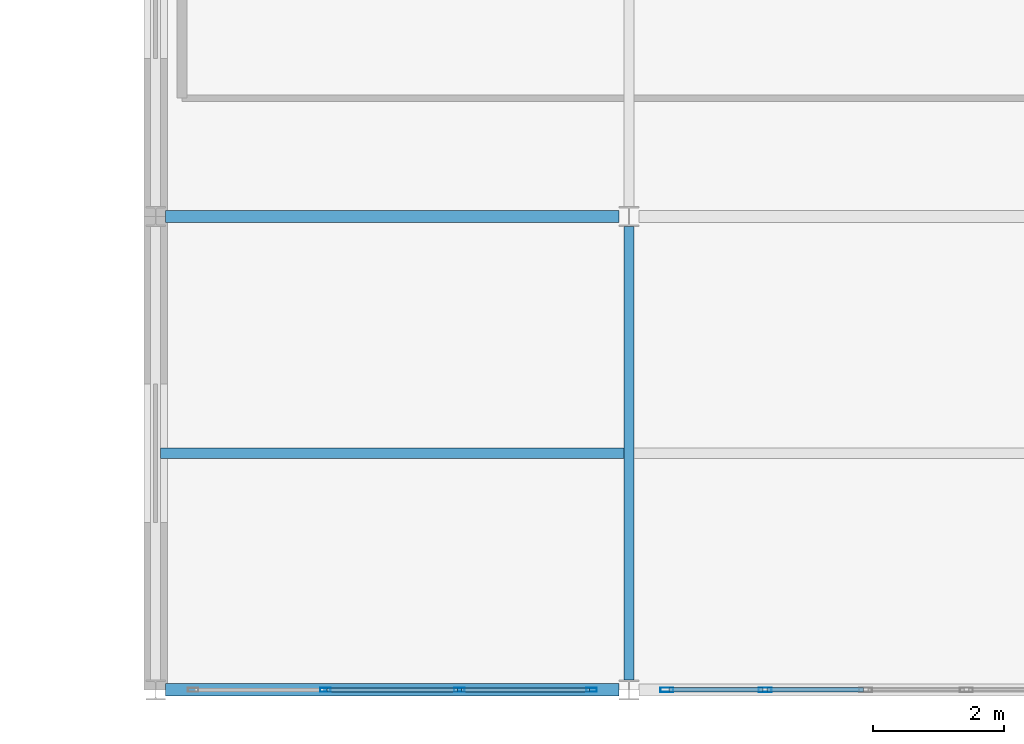
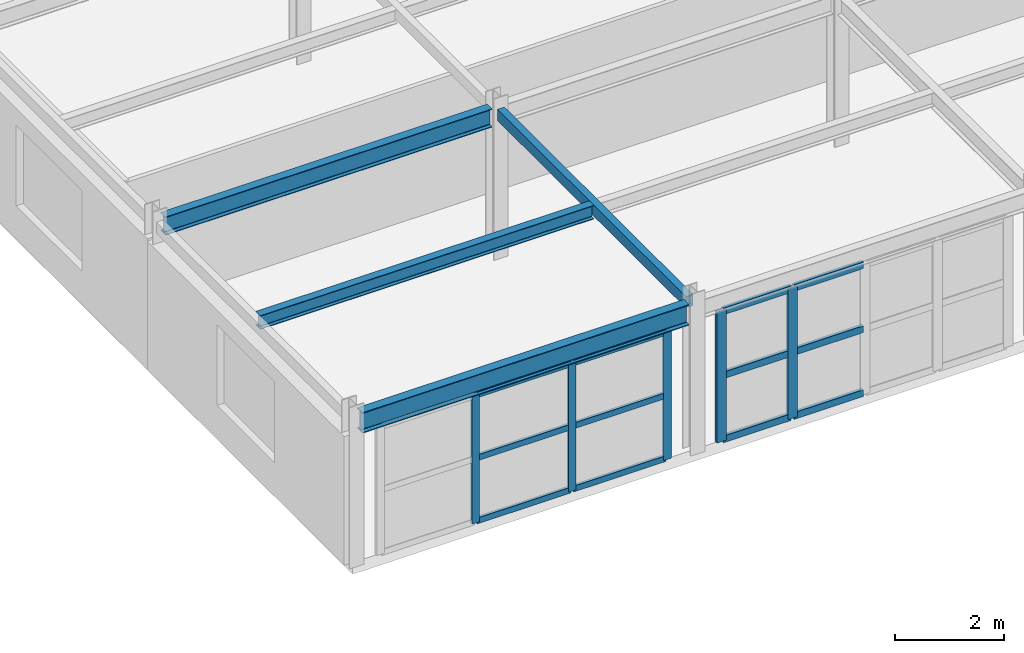
# One storey, part 23 of 73: 17 members, 4 beams, 2 elements without a shape of their own.
"""IFC4 building model written with IfcOpenShell, lengths in metres."""

from ifc_helpers import new_model, si_unit, direction, frame, origin, origin_2d, place, context, subcontext, project, spatial, hollow_rectangle, i_section, extrude, material, layer, layer_set, material_profile, profile_set, type_object, element, aggregate, save


model = new_model("IFC4")

# Units and contexts
model_context = context("Model", 3, precision=1e-05, world=origin(), true_north=direction((0.0, 1.0)))
body_context = subcontext(model_context, "Body", "Model", "MODEL_VIEW")
ifc_project = project(units=[si_unit("LENGTHUNIT", "METRE"), si_unit("AREAUNIT", "SQUARE_METRE"), si_unit("VOLUMEUNIT", "CUBIC_METRE"), si_unit("PLANEANGLEUNIT", "RADIAN"), si_unit("MASSUNIT", "GRAM", prefix="KILO")], contexts=[model_context])

# Site, building, storey
site_placement = place(None, origin())
site = spatial("IfcSite", under=ifc_project, at=site_placement, CompositionType="ELEMENT")
building_placement = place(site_placement, origin())
building = spatial("IfcBuilding", under=site, at=building_placement, Name="Carrowvane Square Congress Hotel", CompositionType="ELEMENT")
storey_placement = place(building_placement, frame((0.0, 0.0, 19.199951171875)))
storey = spatial("IfcBuildingStorey", under=building, at=storey_placement, Name="L04", CompositionType="ELEMENT", Elevation=19.199951171875)

# Beams
ifc_material_1 = material(Name="Steel S355", Category="steel")
ifc_material_profile_1 = material_profile(ifc_material_1, hollow_rectangle(XDim=0.14990234375, YDim=0.25, WallThickness=0.012451171875, at=origin_2d()), Name="RHS 250x150x12.5")
ifc_profile_set_1 = profile_set([ifc_material_profile_1], Name="Steel S355")
beam_type_1 = type_object("IfcBeamType", Name="BM-ST-RHS250", PredefinedType="SPANDREL", material=ifc_profile_set_1)
beam_1_placement = place(storey_placement, frame((134.0, 55.949951171875, 3.22509765625), z_axis=(0.0, 1.0, 0.0), x_axis=(-1.0, 0.0, 0.0)))
element("IfcBeam", 1, at=beam_1_placement, inside=storey, type_object=beam_type_1, Name="L05 girder 18/H-J", PredefinedType="SPANDREL", context=body_context, shape_type="SweptSolid", body=[
    extrude(hollow_rectangle(XDim=0.14990234375, YDim=0.25, WallThickness=0.012451171875, at=origin_2d()), origin(), (0.0, 0.0, 1.0), 6.900146484375),
])
ifc_material_2 = material(Name="Steel S355", Category="steel")
ifc_material_profile_2 = material_profile(ifc_material_2, i_section(OverallWidth=0.165771484375, OverallDepth=0.306640625, WebThickness=0.006591796875, FlangeThickness=0.01171875, FilletRadius=0.0087890625, at=origin_2d()), Name="UKB 305x165x46")
ifc_profile_set_2 = profile_set([ifc_material_profile_2], Name="Steel S355")
beam_type_2 = type_object("IfcBeamType", Name="BM-ST-UKB305", PredefinedType="JOIST", material=ifc_profile_set_2)
beam_2_placement = place(storey_placement, frame((126.875, 59.39990234375, 3.19677734375), z_axis=(1.0, 0.0, 0.0), x_axis=(0.0, 1.0, 0.0)))
element("IfcBeam", 2, at=beam_2_placement, inside=storey, type_object=beam_type_2, Name="L05 secondary joist 17-18", PredefinedType="JOIST", context=body_context, shape_type="SweptSolid", body=[
    extrude(i_section(OverallWidth=0.165771484375, OverallDepth=0.306640625, WebThickness=0.006591796875, FlangeThickness=0.01171875, FilletRadius=0.0087890625, at=origin_2d()), origin(), (0.0, 0.0, 1.0), 7.050048828125),
])
ifc_material_3 = material(Name="Steel S355", Category="steel")
ifc_material_profile_3 = material_profile(ifc_material_3, i_section(OverallWidth=0.1787109375, OverallDepth=0.409423828125, WebThickness=0.0087890625, FlangeThickness=0.014404296875, FilletRadius=0.01025390625, at=origin_2d()), Name="UKB 406x178x67")
ifc_profile_set_3 = profile_set([ifc_material_profile_3], Name="Steel S355")
beam_type_3 = type_object("IfcBeamType", Name="BM-ST-UKB406", PredefinedType="BEAM", material=ifc_profile_set_3)
beam_3_placement = place(storey_placement, frame((126.949951171875, 63.0, 3.145263671875), z_axis=(1.0, 0.0, 0.0), x_axis=(0.0, 1.0, 0.0)))
element("IfcBeam", 3, at=beam_3_placement, inside=storey, type_object=beam_type_3, Name="L05 girder J/17-18", PredefinedType="BEAM", context=body_context, shape_type="SweptSolid", body=[
    extrude(i_section(OverallWidth=0.1787109375, OverallDepth=0.409423828125, WebThickness=0.0087890625, FlangeThickness=0.014404296875, FilletRadius=0.01025390625, at=origin_2d()), origin(), (0.0, 0.0, 1.0), 6.900146484375),
])
ifc_material_4 = material(Name="Steel S355", Category="steel")
ifc_material_profile_4 = material_profile(ifc_material_4, i_section(OverallWidth=0.19140625, OverallDepth=0.4599609375, WebThickness=0.010009765625, FlangeThickness=0.01611328125, FilletRadius=0.01025390625, at=origin_2d()), Name="UKB 457x191x82")
ifc_profile_set_4 = profile_set([ifc_material_profile_4], Name="Steel S355")
beam_type_4 = type_object("IfcBeamType", Name="BM-ST-UKB457", PredefinedType="SPANDREL", material=ifc_profile_set_4)
beam_4_placement = place(storey_placement, frame((126.949951171875, 55.800048828125, 3.1201171875), z_axis=(1.0, 0.0, 0.0), x_axis=(0.0, 1.0, 0.0)))
element("IfcBeam", 4, at=beam_4_placement, inside=storey, type_object=beam_type_4, Name="L05 girder H/17-18", PredefinedType="SPANDREL", context=body_context, shape_type="SweptSolid", body=[
    extrude(i_section(OverallWidth=0.19140625, OverallDepth=0.4599609375, WebThickness=0.010009765625, FlangeThickness=0.01611328125, FilletRadius=0.01025390625, at=origin_2d()), origin(), (0.0, 0.0, 1.0), 6.900146484375),
])

# Curtain wall, members
ifc_material_5 = material(Name="Anodised aluminium", Category="aluminium")
ifc_layer_1 = layer(ifc_material_5, 0.18603515625)
ifc_layer_set_1 = layer_set([ifc_layer_1], Name="Anodised aluminium")
curtain_wall_type_1 = type_object("IfcCurtainWallType", Name="CW-SYS-3", PredefinedType="NOTDEFINED", material=ifc_layer_set_1)
curtain_wall_1_placement = place(storey_placement, origin())
curtain_wall_1 = element("IfcCurtainWall", 5, at=curtain_wall_1_placement, inside=storey, type_object=curtain_wall_type_1, Name="L04 unitised curtain wall 306", PredefinedType="NOTDEFINED")
ifc_material_6 = material(Name="Anodised aluminium", Category="aluminium")
ifc_material_profile_5 = material_profile(ifc_material_6, hollow_rectangle(XDim=0.06005859375, YDim=0.159912109375, WallThickness=0.00390625, at=origin_2d()), Name="CW-ML 60x160x4")
ifc_profile_set_5 = profile_set([ifc_material_profile_5], Name="Anodised aluminium")
member_type_1 = type_object("IfcMemberType", Name="CW-MUL-1", PredefinedType="MULLION", material=ifc_profile_set_5)
member_1_placement = place(storey_placement, frame((133.429931640625, 55.800048828125, 0.0), z_axis=(0.0, 0.0, 1.0), x_axis=(0.0, -1.0, 0.0)))
member_1 = element("IfcMember", 6, at=member_1_placement, type_object=member_type_1, Name="CW-3 mullion 1", PredefinedType="MULLION", context=body_context, shape_type="SweptSolid", body=[
    extrude(hollow_rectangle(XDim=0.06005859375, YDim=0.159912109375, WallThickness=0.00390625, at=origin_2d()), origin(), (0.0, 0.0, 1.0), 2.875),
])
member_2_placement = place(storey_placement, frame((131.419921875, 55.800048828125, 0.0), z_axis=(0.0, 0.0, 1.0), x_axis=(0.0, -1.0, 0.0)))
member_2 = element("IfcMember", 7, at=member_2_placement, type_object=member_type_1, Name="CW-3 mullion 2", PredefinedType="MULLION", context=body_context, shape_type="SweptSolid", body=[
    extrude(hollow_rectangle(XDim=0.06005859375, YDim=0.159912109375, WallThickness=0.00390625, at=origin_2d()), origin(), (0.0, 0.0, 1.0), 2.875),
])
member_3_placement = place(storey_placement, frame((129.3798828125, 55.800048828125, 0.0), z_axis=(0.0, 0.0, 1.0), x_axis=(0.0, -1.0, 0.0)))
member_3 = element("IfcMember", 8, at=member_3_placement, type_object=member_type_1, Name="CW-3 mullion 3", PredefinedType="MULLION", context=body_context, shape_type="SweptSolid", body=[
    extrude(hollow_rectangle(XDim=0.06005859375, YDim=0.159912109375, WallThickness=0.00390625, at=origin_2d()), origin(), (0.0, 0.0, 1.0), 2.875),
])

ifc_material_7 = material(Name="Anodised aluminium", Category="aluminium")
ifc_layer_2 = layer(ifc_material_7, 0.174072265625)
ifc_layer_set_2 = layer_set([ifc_layer_2], Name="Anodised aluminium")
curtain_wall_type_2 = type_object("IfcCurtainWallType", Name="CW-SYS-2", PredefinedType="NOTDEFINED", material=ifc_layer_set_2)
curtain_wall_2_placement = place(storey_placement, origin())
curtain_wall_2 = element("IfcCurtainWall", 9, at=curtain_wall_2_placement, inside=storey, type_object=curtain_wall_type_2, Name="L04 unitised curtain wall 305", PredefinedType="NOTDEFINED")
ifc_material_8 = material(Name="Anodised aluminium", Category="aluminium")
ifc_material_profile_6 = material_profile(ifc_material_8, hollow_rectangle(XDim=0.070068359375, YDim=0.199951171875, WallThickness=0.0048828125, at=origin_2d()), Name="CW-ML 70x200x5")
ifc_profile_set_6 = profile_set([ifc_material_profile_6], Name="Anodised aluminium")
member_type_2 = type_object("IfcMemberType", Name="CW-MUL-2", PredefinedType="MULLION", material=ifc_profile_set_6)
member_4_placement = place(storey_placement, frame((136.070068359375, 55.800048828125, 0.0), z_axis=(0.0, 0.0, 1.0), x_axis=(0.0, -1.0, 0.0)))
member_4 = element("IfcMember", 10, at=member_4_placement, type_object=member_type_2, Name="CW-2 mullion 4", PredefinedType="MULLION", context=body_context, shape_type="SweptSolid", body=[
    extrude(hollow_rectangle(XDim=0.070068359375, YDim=0.199951171875, WallThickness=0.0048828125, at=origin_2d()), origin(), (0.0, 0.0, 1.0), 2.925537109375),
])
member_5_placement = place(storey_placement, frame((134.574951171875, 55.800048828125, 0.0), z_axis=(0.0, 0.0, 1.0), x_axis=(0.0, -1.0, 0.0)))
member_5 = element("IfcMember", 11, at=member_5_placement, type_object=member_type_2, Name="CW-2 mullion 5", PredefinedType="MULLION", context=body_context, shape_type="SweptSolid", body=[
    extrude(hollow_rectangle(XDim=0.070068359375, YDim=0.199951171875, WallThickness=0.0048828125, at=origin_2d()), origin(), (0.0, 0.0, 1.0), 2.925537109375),
])

# Member
ifc_material_9 = material(Name="Anodised aluminium", Category="aluminium")
ifc_material_profile_7 = material_profile(ifc_material_9, hollow_rectangle(XDim=0.06005859375, YDim=0.1298828125, WallThickness=0.00390625, at=origin_2d()), Name="CW-TR 60x130x4")
ifc_profile_set_7 = profile_set([ifc_material_profile_7], Name="Anodised aluminium")
member_type_3 = type_object("IfcMemberType", Name="CW-TRN-1", PredefinedType="USERDEFINED", material=ifc_profile_set_7)
member_6_placement = place(storey_placement, frame((133.39990234375, 55.800048828125, 0.030029296875), z_axis=(-1.0, 0.0, 0.0), x_axis=(0.0, -1.0, 0.0)))
member_6 = element("IfcMember", 12, at=member_6_placement, type_object=member_type_3, Name="CW-3 transom 1.1", ObjectType="TRANSOM", PredefinedType="USERDEFINED", context=body_context, shape_type="SweptSolid", body=[
    extrude(hollow_rectangle(XDim=0.06005859375, YDim=0.1298828125, WallThickness=0.00390625, at=origin_2d()), origin(), (0.0, 0.0, 1.0), 1.949951171875),
])

member_7_placement = place(storey_placement, frame((133.39990234375, 55.800048828125, 1.4375), z_axis=(-1.0, 0.0, 0.0), x_axis=(0.0, -1.0, 0.0)))
member_7 = element("IfcMember", 13, at=member_7_placement, type_object=member_type_3, Name="CW-3 transom 1.2", ObjectType="TRANSOM", PredefinedType="USERDEFINED", context=body_context, shape_type="SweptSolid", body=[
    extrude(hollow_rectangle(XDim=0.06005859375, YDim=0.1298828125, WallThickness=0.00390625, at=origin_2d()), origin(), (0.0, 0.0, 1.0), 1.949951171875),
])

member_8_placement = place(storey_placement, frame((133.39990234375, 55.800048828125, 2.844970703125), z_axis=(-1.0, 0.0, 0.0), x_axis=(0.0, -1.0, 0.0)))
member_8 = element("IfcMember", 14, at=member_8_placement, type_object=member_type_3, Name="CW-3 transom 1.3", ObjectType="TRANSOM", PredefinedType="USERDEFINED", context=body_context, shape_type="SweptSolid", body=[
    extrude(hollow_rectangle(XDim=0.06005859375, YDim=0.1298828125, WallThickness=0.00390625, at=origin_2d()), origin(), (0.0, 0.0, 1.0), 1.949951171875),
])

member_9_placement = place(storey_placement, frame((131.389892578125, 55.800048828125, 0.030029296875), z_axis=(-1.0, 0.0, 0.0), x_axis=(0.0, -1.0, 0.0)))
member_9 = element("IfcMember", 15, at=member_9_placement, type_object=member_type_3, Name="CW-3 transom 2.1", ObjectType="TRANSOM", PredefinedType="USERDEFINED", context=body_context, shape_type="SweptSolid", body=[
    extrude(hollow_rectangle(XDim=0.06005859375, YDim=0.1298828125, WallThickness=0.00390625, at=origin_2d()), origin(), (0.0, 0.0, 1.0), 1.97998046875),
])

member_10_placement = place(storey_placement, frame((131.389892578125, 55.800048828125, 1.4375), z_axis=(-1.0, 0.0, 0.0), x_axis=(0.0, -1.0, 0.0)))
member_10 = element("IfcMember", 16, at=member_10_placement, type_object=member_type_3, Name="CW-3 transom 2.2", ObjectType="TRANSOM", PredefinedType="USERDEFINED", context=body_context, shape_type="SweptSolid", body=[
    extrude(hollow_rectangle(XDim=0.06005859375, YDim=0.1298828125, WallThickness=0.00390625, at=origin_2d()), origin(), (0.0, 0.0, 1.0), 1.97998046875),
])

member_11_placement = place(storey_placement, frame((131.389892578125, 55.800048828125, 2.844970703125), z_axis=(-1.0, 0.0, 0.0), x_axis=(0.0, -1.0, 0.0)))
member_11 = element("IfcMember", 17, at=member_11_placement, type_object=member_type_3, Name="CW-3 transom 2.3", ObjectType="TRANSOM", PredefinedType="USERDEFINED", context=body_context, shape_type="SweptSolid", body=[
    extrude(hollow_rectangle(XDim=0.06005859375, YDim=0.1298828125, WallThickness=0.00390625, at=origin_2d()), origin(), (0.0, 0.0, 1.0), 1.97998046875),
])

aggregate(curtain_wall_1, [member_1, member_2, member_3, member_6, member_7, member_8, member_9, member_10, member_11])

ifc_material_10 = material(Name="Anodised aluminium", Category="aluminium")
ifc_material_profile_8 = material_profile(ifc_material_10, hollow_rectangle(XDim=0.070068359375, YDim=0.14990234375, WallThickness=0.0048828125, at=origin_2d()), Name="CW-TR 70x150x5")
ifc_profile_set_8 = profile_set([ifc_material_profile_8], Name="Anodised aluminium")
member_type_4 = type_object("IfcMemberType", Name="CW-TRN-2", PredefinedType="USERDEFINED", material=ifc_profile_set_8)
member_12_placement = place(storey_placement, frame((137.56494140625, 55.800048828125, 0.03515625), z_axis=(-1.0, 0.0, 0.0), x_axis=(0.0, -1.0, 0.0)))
member_12 = element("IfcMember", 18, at=member_12_placement, type_object=member_type_4, Name="CW-2 transom 3.1", ObjectType="TRANSOM", PredefinedType="USERDEFINED", context=body_context, shape_type="SweptSolid", body=[
    extrude(hollow_rectangle(XDim=0.070068359375, YDim=0.14990234375, WallThickness=0.0048828125, at=origin_2d()), origin(), (0.0, 0.0, 1.0), 1.4599609375),
])

member_13_placement = place(storey_placement, frame((137.56494140625, 55.800048828125, 1.462890625), z_axis=(-1.0, 0.0, 0.0), x_axis=(0.0, -1.0, 0.0)))
member_13 = element("IfcMember", 19, at=member_13_placement, type_object=member_type_4, Name="CW-2 transom 3.2", ObjectType="TRANSOM", PredefinedType="USERDEFINED", context=body_context, shape_type="SweptSolid", body=[
    extrude(hollow_rectangle(XDim=0.070068359375, YDim=0.14990234375, WallThickness=0.0048828125, at=origin_2d()), origin(), (0.0, 0.0, 1.0), 1.4599609375),
])

member_14_placement = place(storey_placement, frame((137.56494140625, 55.800048828125, 2.890625), z_axis=(-1.0, 0.0, 0.0), x_axis=(0.0, -1.0, 0.0)))
member_14 = element("IfcMember", 20, at=member_14_placement, type_object=member_type_4, Name="CW-2 transom 3.3", ObjectType="TRANSOM", PredefinedType="USERDEFINED", context=body_context, shape_type="SweptSolid", body=[
    extrude(hollow_rectangle(XDim=0.070068359375, YDim=0.14990234375, WallThickness=0.0048828125, at=origin_2d()), origin(), (0.0, 0.0, 1.0), 1.4599609375),
])

member_15_placement = place(storey_placement, frame((136.034912109375, 55.800048828125, 0.03515625), z_axis=(-1.0, 0.0, 0.0), x_axis=(0.0, -1.0, 0.0)))
member_15 = element("IfcMember", 21, at=member_15_placement, type_object=member_type_4, Name="CW-2 transom 4.1", ObjectType="TRANSOM", PredefinedType="USERDEFINED", context=body_context, shape_type="SweptSolid", body=[
    extrude(hollow_rectangle(XDim=0.070068359375, YDim=0.14990234375, WallThickness=0.0048828125, at=origin_2d()), origin(), (0.0, 0.0, 1.0), 1.4248046875),
])

member_16_placement = place(storey_placement, frame((136.034912109375, 55.800048828125, 1.462890625), z_axis=(-1.0, 0.0, 0.0), x_axis=(0.0, -1.0, 0.0)))
member_16 = element("IfcMember", 22, at=member_16_placement, type_object=member_type_4, Name="CW-2 transom 4.2", ObjectType="TRANSOM", PredefinedType="USERDEFINED", context=body_context, shape_type="SweptSolid", body=[
    extrude(hollow_rectangle(XDim=0.070068359375, YDim=0.14990234375, WallThickness=0.0048828125, at=origin_2d()), origin(), (0.0, 0.0, 1.0), 1.4248046875),
])

member_17_placement = place(storey_placement, frame((136.034912109375, 55.800048828125, 2.890625), z_axis=(-1.0, 0.0, 0.0), x_axis=(0.0, -1.0, 0.0)))
member_17 = element("IfcMember", 23, at=member_17_placement, type_object=member_type_4, Name="CW-2 transom 4.3", ObjectType="TRANSOM", PredefinedType="USERDEFINED", context=body_context, shape_type="SweptSolid", body=[
    extrude(hollow_rectangle(XDim=0.070068359375, YDim=0.14990234375, WallThickness=0.0048828125, at=origin_2d()), origin(), (0.0, 0.0, 1.0), 1.4248046875),
])

aggregate(curtain_wall_2, [member_4, member_5, member_12, member_13, member_14, member_15, member_16, member_17])

save(model, "model.ifc")
